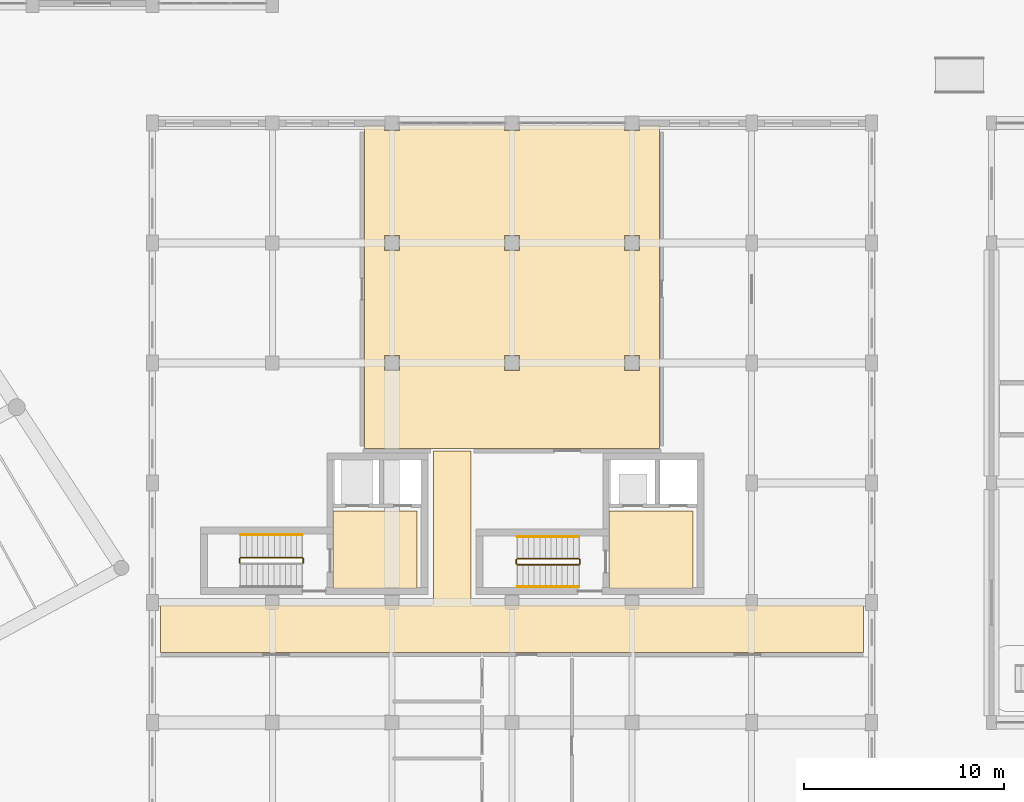
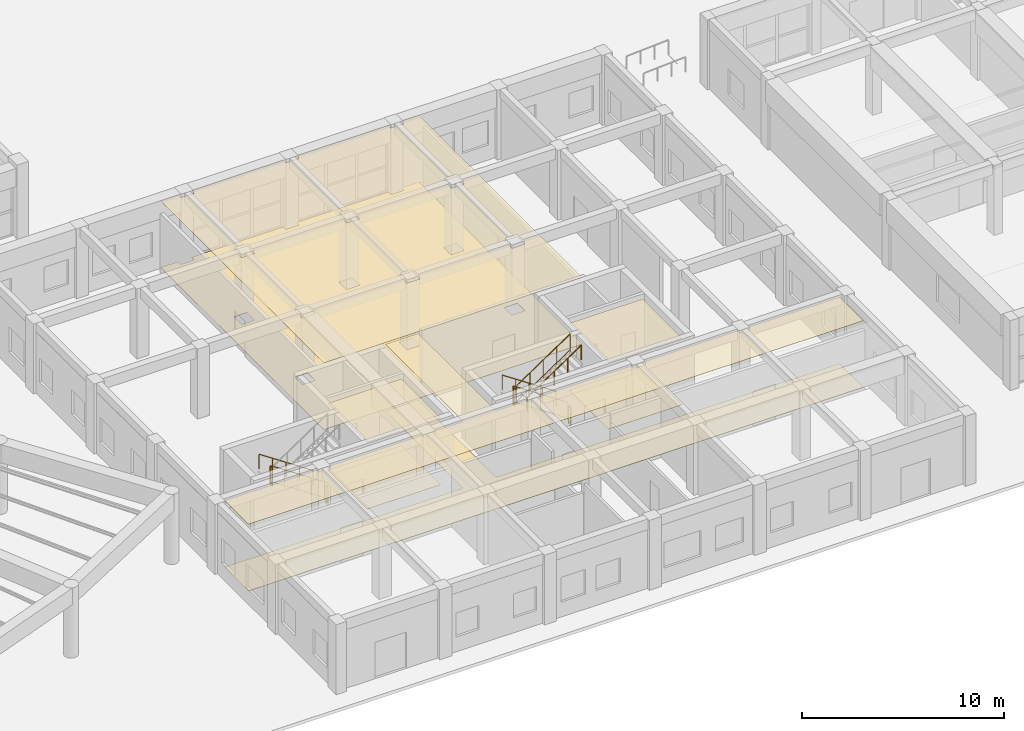
# One storey, part 69 of 76: 10 railings, 8 coverings.
"""IFC4 building model written with IfcOpenShell, lengths in metres."""

import ifcopenshell
import ifcopenshell.guid

model = None  # the IFC model being written
_history = None  # IfcOwnerHistory: only IFC2X3 demands one
_inside = {}  # id of a spatial element -> (the spatial element, [elements in it])
_under = {}  # id of a project, library or spatial element -> (it, [spatial elements below it])
_declared = {}  # id of a project -> (the project, [libraries it declares])
_typed = {}  # id of a type object -> (the type object, [elements of that type])
_made_of = {}  # id of a material, layer set ... -> (it, [elements and type objects made of it])


def new_model(schema):
    """Start an empty IFC model of exactly this schema.

    Asked for "IFC4X3", IfcOpenShell would pick the latest addendum, in which some entities
    have other attributes; the version numbers below select the first issue.
    IFC2X3 requires an IfcOwnerHistory on every rooted entity: one is made here for all.
    """
    global model, _history
    if schema == "IFC4X3":
        model = ifcopenshell.file(schema_version=(4, 3, 0, 0))
    else:
        model = ifcopenshell.file(schema=schema)
    _inside.clear()
    _under.clear()
    _declared.clear()
    _typed.clear()
    _made_of.clear()
    _history = None
    if model.schema == "IFC2X3":
        org = make("IfcOrganization", Name="unknown")
        user = make(
            "IfcPersonAndOrganization",
            ThePerson=make("IfcPerson", FamilyName="unknown"),
            TheOrganization=org,
        )
        app = make(
            "IfcApplication",
            ApplicationDeveloper=org,
            Version="unknown",
            ApplicationFullName="unknown",
            ApplicationIdentifier="unknown",
        )
        _history = make(
            "IfcOwnerHistory",
            OwningUser=user,
            OwningApplication=app,
            ChangeAction="ADDED",
            CreationDate=0,
        )
    return model


def make(cls, **values):
    """One entity of the class cls with the attributes given. An attribute that is None is left unset."""
    return model.create_entity(
        cls, **{name: value for name, value in values.items() if value is not None}
    )


def rooted(cls, **values):
    """An entity with a GlobalId (a new one), such as an element, a storey or a relation."""
    return make(cls, GlobalId=ifcopenshell.guid.new(), OwnerHistory=_history, **values)


def si_unit(unit_type, name, prefix=None):
    """IfcSIUnit, for example si_unit("LENGTHUNIT", "METRE", prefix="MILLI")."""
    return make("IfcSIUnit", UnitType=unit_type, Prefix=prefix, Name=name)


def assignment(units):
    """IfcUnitAssignment: the units of a project."""
    return None if units is None else make("IfcUnitAssignment", Units=units)


def point(xyz):
    """IfcCartesianPoint."""
    return None if xyz is None else make("IfcCartesianPoint", Coordinates=xyz)


def direction(xyz):
    """IfcDirection."""
    return None if xyz is None else make("IfcDirection", DirectionRatios=xyz)


def frame(location, z_axis=None, x_axis=None):
    """IfcAxis2Placement3D, a coordinate frame: its origin and axes. An axis left out is left unset."""
    return make(
        "IfcAxis2Placement3D",
        Location=point(location),
        Axis=direction(z_axis),
        RefDirection=direction(x_axis),
    )


def frame_2d(location, x_axis=None):
    """IfcAxis2Placement2D, a coordinate frame in the plane: its origin and x axis."""
    return make(
        "IfcAxis2Placement2D", Location=point(location), RefDirection=direction(x_axis)
    )


def origin():
    """The frame at (0, 0, 0) with its axes left unset."""
    return frame((0.0, 0.0, 0.0))


def origin_2d():
    """The frame at (0, 0) in the plane with its x axis left unset."""
    return frame_2d((0.0, 0.0))


def place(relative_to, where):
    """IfcLocalPlacement: puts the frame where relative to a parent placement (None: the world)."""
    return make(
        "IfcLocalPlacement", PlacementRelTo=relative_to, RelativePlacement=where
    )


def context(
    kind, dimensions, precision=None, world=None, true_north=None, identifier=None
):
    """IfcGeometricRepresentationContext, for example the 3D "Model" context."""
    return make(
        "IfcGeometricRepresentationContext",
        ContextIdentifier=identifier,
        ContextType=kind,
        CoordinateSpaceDimension=dimensions,
        Precision=precision,
        WorldCoordinateSystem=world,
        TrueNorth=true_north,
    )


def subcontext(parent, identifier, kind, view, scale=None):
    """IfcGeometricRepresentationSubContext, for example "Body" below "Model"."""
    return make(
        "IfcGeometricRepresentationSubContext",
        ContextIdentifier=identifier,
        ContextType=kind,
        ParentContext=parent,
        TargetScale=scale,
        TargetView=view,
    )


def project(units=None, contexts=None):
    """IfcProject with its units and contexts."""
    return rooted(
        "IfcProject",
        Name="project",
        RepresentationContexts=contexts,
        UnitsInContext=assignment(units),
    )


def spatial(cls, under=None, at=None, **own):
    """A site, building, storey or space (cls), placed at a placement, below another one or the project."""
    s = rooted(cls, ObjectPlacement=at, **own)
    if under is not None:
        _under.setdefault(under.id(), (under, []))[1].append(s)
    return s


def polyline(points):
    """IfcPolyline through the points."""
    return make("IfcPolyline", Points=[point(p) for p in points])


def profile(cls, at=None, kind="AREA", **sizes):
    """A parametric profile (cls). Its sizes go by their IFC names, for example OverallWidth=200.0."""
    return make(cls, ProfileType=kind, Position=at, **sizes)


def circle(**sizes):
    """IfcCircleProfileDef."""
    return profile("IfcCircleProfileDef", **sizes)


def outline(outer, holes=None, kind="AREA"):
    """IfcArbitraryClosedProfileDef: a profile drawn as a closed curve; with holes, ...WithVoids."""
    if holes is None:
        return make("IfcArbitraryClosedProfileDef", ProfileType=kind, OuterCurve=outer)
    return make(
        "IfcArbitraryProfileDefWithVoids",
        ProfileType=kind,
        OuterCurve=outer,
        InnerCurves=holes,
    )


def extrude(swept, where, along, depth):
    """IfcExtrudedAreaSolid: the profile swept, set in the frame where, extruded along a direction by depth."""
    return make(
        "IfcExtrudedAreaSolid",
        SweptArea=swept,
        Position=where,
        ExtrudedDirection=direction(along),
        Depth=depth,
    )


def shape(context_of_items, identifier, shape_type, items):
    """IfcShapeRepresentation: the items that make up one representation, for example the "Body"."""
    return make(
        "IfcShapeRepresentation",
        ContextOfItems=context_of_items,
        RepresentationIdentifier=identifier,
        RepresentationType=shape_type,
        Items=items,
    )


def material(Name=None, Category=None):
    """IfcMaterial."""
    return make("IfcMaterial", Name=Name, Category=Category)


def layer(
    of_material, thickness, ventilated=None, Name=None, Category=None, Priority=None
):
    """IfcMaterialLayer: one layer of a wall or slab, of a material (None: an air gap)."""
    return make(
        "IfcMaterialLayer",
        Material=of_material,
        LayerThickness=thickness,
        IsVentilated=ventilated,
        Name=Name,
        Category=Category,
        Priority=Priority,
    )


def layer_set(layers, Name=None):
    """IfcMaterialLayerSet."""
    return make("IfcMaterialLayerSet", MaterialLayers=layers, LayerSetName=Name)


def made_of(thing, what):
    """Note that an element or type object is made of a material, layer set ...; save() writes the relation."""
    if what is not None:
        _made_of.setdefault(what.id(), (what, []))[1].append(thing)
    return thing


def type_object(cls, material=None, **own):
    """A type object (cls), such as IfcWallType, which elements share."""
    return made_of(rooted(cls, **own), material)


def element(
    cls,
    number,
    at=None,
    inside=None,
    cuts=None,
    type_object=None,
    material=None,
    context=None,
    identifier="Body",
    shape_type=None,
    held_by="IfcProductDefinitionShape",
    body=None,
    shapes=None,
    **own,
):
    """One element of the class cls, such as IfcWall. Its Tag is "e" and its number.

    at: its placement. inside: the storey or other place that contains it. cuts: it is an
    opening in that element (IfcRelVoidsElement). A single representation is given by context,
    identifier, shape_type and body (its items); several are given by shapes. held_by: the class
    of the entity that holds the representations. save() writes the other relations.
    """
    e = rooted(cls, Tag="e%d" % number, ObjectPlacement=at, **own)
    if body is not None:
        shapes = [shape(context, identifier, shape_type, body)]
    if shapes is not None:
        e.Representation = make(held_by, Representations=shapes)
    if inside is not None:
        _inside.setdefault(inside.id(), (inside, []))[1].append(e)
    if cuts is not None:
        rooted(
            "IfcRelVoidsElement", RelatingBuildingElement=cuts, RelatedOpeningElement=e
        )
    if type_object is not None:
        _typed.setdefault(type_object.id(), (type_object, []))[1].append(e)
    return made_of(e, material)


def aggregate(whole, parts):
    """IfcRelAggregates: a whole, such as a stair, and the parts it consists of."""
    return rooted("IfcRelAggregates", RelatingObject=whole, RelatedObjects=parts)


def save(model, path):
    """Write the relations noted so far, then the file.

    IfcRelAggregates (storeys below a building ...), IfcRelContainedInSpatialStructure (elements
    in a storey), IfcRelDefinesByType, IfcRelAssociatesMaterial and IfcRelDeclares: one each for
    every whole, place, type object, material and project.
    """
    for whole, parts in _under.values():
        aggregate(whole, parts)
    for where, things in _inside.values():
        rooted(
            "IfcRelContainedInSpatialStructure",
            RelatedElements=things,
            RelatingStructure=where,
        )
    for kind, things in _typed.values():
        rooted("IfcRelDefinesByType", RelatedObjects=things, RelatingType=kind)
    for what, things in _made_of.values():
        rooted("IfcRelAssociatesMaterial", RelatedObjects=things, RelatingMaterial=what)
    for by, libraries in _declared.values():
        rooted("IfcRelDeclares", RelatingContext=by, RelatedDefinitions=libraries)
    model.write(path)


model = new_model("IFC4")

# Units and contexts
model_context = context("Model", 3, precision=1e-05, world=origin(), true_north=direction((0.0, 1.0)))
body_context = subcontext(model_context, "Body", "Model", "MODEL_VIEW")
ifc_project = project(units=[si_unit("LENGTHUNIT", "METRE"), si_unit("AREAUNIT", "SQUARE_METRE"), si_unit("VOLUMEUNIT", "CUBIC_METRE"), si_unit("PLANEANGLEUNIT", "RADIAN"), si_unit("MASSUNIT", "GRAM", prefix="KILO"), si_unit("POWERUNIT", "WATT"), si_unit("THERMODYNAMICTEMPERATUREUNIT", "KELVIN")], contexts=[model_context])

# Site, building, storey
site_placement = place(None, origin())
site = spatial("IfcSite", under=ifc_project, at=site_placement, CompositionType="ELEMENT")
building_placement = place(site_placement, origin())
building = spatial("IfcBuilding", under=site, at=building_placement, Name="Ruvembo Vaulted Housing Court", CompositionType="ELEMENT")
storey_placement = place(building_placement, origin())
storey = spatial("IfcBuildingStorey", under=building, at=storey_placement, Name="L00", CompositionType="ELEMENT", Elevation=0.0)

# Coverings
ifc_material_1 = material(Name="Perforated Mineral-Fibre Acoustic Tile", Category="gypsum")
ifc_layer_1 = layer(ifc_material_1, 0.02001953125, Name="Perforated Mineral-Fibre Acoustic Tile")
ifc_layer_set_1 = layer_set([ifc_layer_1], Name="Perforated Mineral-Fibre Acoustic Tile")
covering_type_1 = type_object("IfcCoveringType", Name="COV-CEIL-ACOUST", PredefinedType="CEILING", material=ifc_layer_set_1)
covering_1_placement = place(storey_placement, frame((0.0, 0.0, 4.034912109375)))
element("IfcCovering", 1, at=covering_1_placement, inside=storey, type_object=covering_type_1, Name="Protected Core Lobby C1 Ceiling", PredefinedType="CEILING", context=body_context, shape_type="SweptSolid", body=[
    extrude(outline(polyline([(111.050048828125, 16.60009765625), (111.050048828125, 12.699951171875), (115.25, 12.699951171875), (115.25, 16.60009765625), (111.050048828125, 16.60009765625)])), origin(), (0.0, 0.0, 1.0), 0.02001953125),
])
covering_2_placement = place(storey_placement, frame((0.0, 0.0, 4.034912109375)))
element("IfcCovering", 2, at=covering_2_placement, inside=storey, type_object=covering_type_1, Name="Protected Core Lobby C2 Ceiling", PredefinedType="CEILING", context=body_context, shape_type="SweptSolid", body=[
    extrude(outline(polyline([(124.85009765625, 16.60009765625), (124.85009765625, 12.699951171875), (129.050048828125, 12.699951171875), (129.050048828125, 16.60009765625), (124.85009765625, 16.60009765625)])), origin(), (0.0, 0.0, 1.0), 0.02001953125),
])
covering_3_placement = place(storey_placement, frame((0.0, 0.0, 4.034912109375)))
element("IfcCovering", 3, at=covering_3_placement, inside=storey, type_object=covering_type_1, Name="Block C L00 Corridor Ceiling", PredefinedType="CEILING", context=body_context, shape_type="SweptSolid", body=[
    extrude(outline(polyline([(115.949951171875, 11.889892578125), (102.409912109375, 11.889892578125), (102.409912109375, 9.510009765625), (137.590087890625, 9.510009765625), (137.590087890625, 11.889892578125), (118.050048828125, 11.889892578125), (118.039306640625, 11.890380859375), (118.028564453125, 11.89208984375), (118.01806640625, 11.894775390625), (118.0078125, 11.8984375), (117.998046875, 11.903076171875), (117.989013671875, 11.908447265625), (117.980224609375, 11.9150390625), (117.97216796875, 11.922119140625), (117.965087890625, 11.93017578125), (117.95849609375, 11.93896484375), (117.952880859375, 11.947998046875), (117.948486328125, 11.9580078125), (117.944580078125, 11.968017578125), (117.942138671875, 11.978515625), (117.9404296875, 11.9892578125), (117.93994140625, 12.0), (117.93994140625, 19.590087890625), (116.06005859375, 19.590087890625), (116.06005859375, 12.0), (116.0595703125, 11.9892578125), (116.057861328125, 11.978515625), (116.055419921875, 11.968017578125), (116.051513671875, 11.9580078125), (116.047119140625, 11.947998046875), (116.04150390625, 11.93896484375), (116.034912109375, 11.93017578125), (116.02783203125, 11.922119140625), (116.019775390625, 11.9150390625), (116.010986328125, 11.908447265625), (116.001953125, 11.903076171875), (115.9921875, 11.8984375), (115.98193359375, 11.894775390625), (115.971435546875, 11.89208984375), (115.960693359375, 11.890380859375), (115.949951171875, 11.889892578125)])), origin(), (0.0, 0.0, 1.0), 0.02001953125),
])
covering_4_placement = place(storey_placement, frame((0.0, 0.0, 4.034912109375)))
element("IfcCovering", 4, at=covering_4_placement, inside=storey, type_object=covering_type_1, Name="Block C Courtyard Entrance Lobby Ceiling", PredefinedType="CEILING", context=body_context, shape_type="SweptSolid", body=[
    extrude(outline(polyline([(113.6298828125, 35.6298828125), (113.6298828125, 35.889892578125), (112.610107421875, 35.889892578125), (112.610107421875, 19.7099609375), (127.389892578125, 19.7099609375), (127.389892578125, 35.889892578125), (126.3701171875, 35.889892578125), (126.3701171875, 35.6298828125), (125.6298828125, 35.6298828125), (125.6298828125, 35.889892578125), (120.3701171875, 35.889892578125), (120.3701171875, 35.6298828125), (119.6298828125, 35.6298828125), (119.6298828125, 35.889892578125), (114.3701171875, 35.889892578125), (114.3701171875, 35.6298828125), (113.6298828125, 35.6298828125)]), holes=[polyline([(120.3701171875, 23.6298828125), (120.3701171875, 24.3701171875), (119.6298828125, 24.3701171875), (119.6298828125, 23.6298828125), (120.3701171875, 23.6298828125)]), polyline([(113.6298828125, 23.6298828125), (114.3701171875, 23.6298828125), (114.3701171875, 24.3701171875), (113.6298828125, 24.3701171875), (113.6298828125, 23.6298828125)]), polyline([(126.3701171875, 23.6298828125), (126.3701171875, 24.3701171875), (125.6298828125, 24.3701171875), (125.6298828125, 23.6298828125), (126.3701171875, 23.6298828125)]), polyline([(125.6298828125, 29.6298828125), (126.3701171875, 29.6298828125), (126.3701171875, 30.3701171875), (125.6298828125, 30.3701171875), (125.6298828125, 29.6298828125)]), polyline([(119.6298828125, 29.6298828125), (120.3701171875, 29.6298828125), (120.3701171875, 30.3701171875), (119.6298828125, 30.3701171875), (119.6298828125, 29.6298828125)]), polyline([(114.3701171875, 29.6298828125), (114.3701171875, 30.3701171875), (113.6298828125, 30.3701171875), (113.6298828125, 29.6298828125), (114.3701171875, 29.6298828125)])]), origin(), (0.0, 0.0, 1.0), 0.02001953125),
])
ifc_material_2 = material(Name="Polished Cement-Aggregate Terrazzo", Category="stone")
ifc_layer_2 = layer(ifc_material_2, 0.02197265625, Name="Polished Cement-Aggregate Terrazzo")
ifc_layer_set_2 = layer_set([ifc_layer_2], Name="Polished Cement-Aggregate Terrazzo")
covering_type_2 = type_object("IfcCoveringType", Name="COV-FLR-CERAMIC", PredefinedType="FLOORING", material=ifc_layer_set_2)
covering_5_placement = place(storey_placement, origin())
element("IfcCovering", 5, at=covering_5_placement, inside=storey, type_object=covering_type_2, Name="Protected Core Lobby C1 Flooring", PredefinedType="FLOORING", context=body_context, shape_type="SweptSolid", body=[
    extrude(outline(polyline([(111.050048828125, 16.60009765625), (111.050048828125, 12.699951171875), (115.25, 12.699951171875), (115.25, 16.60009765625), (111.050048828125, 16.60009765625)])), origin(), (0.0, 0.0, 1.0), 0.02197265625),
])
covering_6_placement = place(storey_placement, origin())
element("IfcCovering", 6, at=covering_6_placement, inside=storey, type_object=covering_type_2, Name="Protected Core Lobby C2 Flooring", PredefinedType="FLOORING", context=body_context, shape_type="SweptSolid", body=[
    extrude(outline(polyline([(124.85009765625, 16.60009765625), (124.85009765625, 12.699951171875), (129.050048828125, 12.699951171875), (129.050048828125, 16.60009765625), (124.85009765625, 16.60009765625)])), origin(), (0.0, 0.0, 1.0), 0.02197265625),
])
covering_7_placement = place(storey_placement, origin())
element("IfcCovering", 7, at=covering_7_placement, inside=storey, type_object=covering_type_2, Name="Block C L00 Corridor Flooring", PredefinedType="FLOORING", context=body_context, shape_type="SweptSolid", body=[
    extrude(outline(polyline([(115.949951171875, 11.889892578125), (102.409912109375, 11.889892578125), (102.409912109375, 9.510009765625), (137.590087890625, 9.510009765625), (137.590087890625, 11.889892578125), (118.050048828125, 11.889892578125), (118.039306640625, 11.890380859375), (118.028564453125, 11.89208984375), (118.01806640625, 11.894775390625), (118.0078125, 11.8984375), (117.998046875, 11.903076171875), (117.989013671875, 11.908447265625), (117.980224609375, 11.9150390625), (117.97216796875, 11.922119140625), (117.965087890625, 11.93017578125), (117.95849609375, 11.93896484375), (117.952880859375, 11.947998046875), (117.948486328125, 11.9580078125), (117.944580078125, 11.968017578125), (117.942138671875, 11.978515625), (117.9404296875, 11.9892578125), (117.93994140625, 12.0), (117.93994140625, 19.590087890625), (116.06005859375, 19.590087890625), (116.06005859375, 12.0), (116.0595703125, 11.9892578125), (116.057861328125, 11.978515625), (116.055419921875, 11.968017578125), (116.051513671875, 11.9580078125), (116.047119140625, 11.947998046875), (116.04150390625, 11.93896484375), (116.034912109375, 11.93017578125), (116.02783203125, 11.922119140625), (116.019775390625, 11.9150390625), (116.010986328125, 11.908447265625), (116.001953125, 11.903076171875), (115.9921875, 11.8984375), (115.98193359375, 11.894775390625), (115.971435546875, 11.89208984375), (115.960693359375, 11.890380859375), (115.949951171875, 11.889892578125)])), origin(), (0.0, 0.0, 1.0), 0.02197265625),
])
covering_8_placement = place(storey_placement, origin())
element("IfcCovering", 8, at=covering_8_placement, inside=storey, type_object=covering_type_2, Name="Block C Courtyard Entrance Lobby Flooring", PredefinedType="FLOORING", context=body_context, shape_type="SweptSolid", body=[
    extrude(outline(polyline([(113.6298828125, 35.6298828125), (113.6298828125, 35.889892578125), (112.610107421875, 35.889892578125), (112.610107421875, 19.7099609375), (127.389892578125, 19.7099609375), (127.389892578125, 35.889892578125), (126.3701171875, 35.889892578125), (126.3701171875, 35.6298828125), (125.6298828125, 35.6298828125), (125.6298828125, 35.889892578125), (120.3701171875, 35.889892578125), (120.3701171875, 35.6298828125), (119.6298828125, 35.6298828125), (119.6298828125, 35.889892578125), (114.3701171875, 35.889892578125), (114.3701171875, 35.6298828125), (113.6298828125, 35.6298828125)]), holes=[polyline([(120.3701171875, 23.6298828125), (120.3701171875, 24.3701171875), (119.6298828125, 24.3701171875), (119.6298828125, 23.6298828125), (120.3701171875, 23.6298828125)]), polyline([(113.6298828125, 23.6298828125), (114.3701171875, 23.6298828125), (114.3701171875, 24.3701171875), (113.6298828125, 24.3701171875), (113.6298828125, 23.6298828125)]), polyline([(126.3701171875, 23.6298828125), (126.3701171875, 24.3701171875), (125.6298828125, 24.3701171875), (125.6298828125, 23.6298828125), (126.3701171875, 23.6298828125)]), polyline([(125.6298828125, 29.6298828125), (126.3701171875, 29.6298828125), (126.3701171875, 30.3701171875), (125.6298828125, 30.3701171875), (125.6298828125, 29.6298828125)]), polyline([(119.6298828125, 29.6298828125), (120.3701171875, 29.6298828125), (120.3701171875, 30.3701171875), (119.6298828125, 30.3701171875), (119.6298828125, 29.6298828125)]), polyline([(114.3701171875, 29.6298828125), (114.3701171875, 30.3701171875), (113.6298828125, 30.3701171875), (113.6298828125, 29.6298828125), (114.3701171875, 29.6298828125)])]), origin(), (0.0, 0.0, 1.0), 0.02197265625),
])

# Railings
ifc_material_3 = material(Name="Painted Galvanised Steel S275", Category="steel")
ifc_layer_3 = layer(ifc_material_3, 0.06005859375, Name="Painted Galvanised Steel S275")
ifc_layer_set_3 = layer_set([ifc_layer_3], Name="Painted Galvanised Steel S275")
railing_type_1 = type_object("IfcRailingType", Name="RL-STAIR-GR1100", PredefinedType="GUARDRAIL", material=ifc_layer_set_3)
railing_1_placement = place(storey_placement, frame((109.5, 14.25, 0.1875)))
element("IfcRailing", 9, at=railing_1_placement, inside=storey, type_object=railing_type_1, Name="L00 ST-C1 stair guard 1", PredefinedType="GUARDRAIL", context=body_context, shape_type="SweptSolid", body=[
    extrude(circle(Radius=0.02392578125, at=origin_2d()), frame((0.0, 0.0, 1.076171875), z_axis=(-0.830913701846, 0.0, 0.55640131208), x_axis=(0.0, -1.0, 0.0)), (0.0, 0.0, 1.0), 3.706787109375),
    extrude(circle(Radius=0.01806640625, at=origin_2d()), frame((0.0, 0.0, 0.1201171875), z_axis=(-0.830913701846, 0.0, 0.55640131208), x_axis=(0.0, -1.0, 0.0)), (0.0, 0.0, 1.0), 3.706787109375),
    extrude(circle(Radius=0.02099609375, at=origin_2d()), origin(), (0.0, 0.0, 1.0), 1.052001953125),
    extrude(circle(Radius=0.02099609375, at=origin_2d()), frame((-0.77001953125, 0.0, 0.515625)), (0.0, 0.0, 1.0), 1.052001953125),
    extrude(circle(Radius=0.02099609375, at=origin_2d()), frame((-1.5400390625, 0.0, 1.03125)), (0.0, 0.0, 1.0), 1.052001953125),
    extrude(circle(Radius=0.02099609375, at=origin_2d()), frame((-2.31005859375, 0.0, 1.546875)), (0.0, 0.0, 1.0), 1.052001953125),
    extrude(circle(Radius=0.02099609375, at=origin_2d()), frame((-3.080078125, 0.0, 2.0625)), (0.0, 0.0, 1.0), 1.052001953125),
])
for number, where, name in (
    (10, (106.3701171875, 14.199951171875, 2.25), "L00 ST-C1 stair guard 2"),
    (11, (109.550048828125, 14.199951171875, 0.0), "L00 ST-C1 stair guard 4"),
):
    element("IfcRailing", number, at=place(storey_placement, frame(where)), inside=storey, type_object=railing_type_1, Name=name, PredefinedType="GUARDRAIL", context=body_context, shape_type="SweptSolid", body=[
        extrude(circle(Radius=0.02392578125, at=origin_2d()), frame((0.0, 0.0, 1.076171875), z_axis=(0.0, -1.0, 0.0), x_axis=(1.0, 0.0, 0.0)), (0.0, 0.0, 1.0), 0.199951171875),
        extrude(circle(Radius=0.01806640625, at=origin_2d()), frame((0.0, 0.0, 0.1201171875), z_axis=(0.0, -1.0, 0.0), x_axis=(1.0, 0.0, 0.0)), (0.0, 0.0, 1.0), 0.199951171875),
        extrude(circle(Radius=0.02099609375, at=origin_2d()), origin(), (0.0, 0.0, 1.0), 1.052001953125),
        extrude(circle(Radius=0.02099609375, at=origin_2d()), frame((0.0, -0.199951171875, 0.0)), (0.0, 0.0, 1.0), 1.052001953125),
    ])
railing_2_placement = place(storey_placement, frame((123.35009765625, 14.199951171875, 0.1875)))
element("IfcRailing", 12, at=railing_2_placement, inside=storey, type_object=railing_type_1, Name="L00 ST-C2 stair guard 1", PredefinedType="GUARDRAIL", context=body_context, shape_type="SweptSolid", body=[
    extrude(circle(Radius=0.02392578125, at=origin_2d()), frame((0.0, 0.0, 1.076171875), z_axis=(-0.830913701846, 0.0, 0.55640131208), x_axis=(0.0, -1.0, 0.0)), (0.0, 0.0, 1.0), 3.706787109375),
    extrude(circle(Radius=0.01806640625, at=origin_2d()), frame((0.0, 0.0, 0.1201171875), z_axis=(-0.830913701846, 0.0, 0.55640131208), x_axis=(0.0, -1.0, 0.0)), (0.0, 0.0, 1.0), 3.706787109375),
    extrude(circle(Radius=0.02099609375, at=origin_2d()), origin(), (0.0, 0.0, 1.0), 1.052001953125),
    extrude(circle(Radius=0.02099609375, at=origin_2d()), frame((-0.77001953125, 0.0, 0.515625)), (0.0, 0.0, 1.0), 1.052001953125),
    extrude(circle(Radius=0.02099609375, at=origin_2d()), frame((-1.5400390625, 0.0, 1.03125)), (0.0, 0.0, 1.0), 1.052001953125),
    extrude(circle(Radius=0.02099609375, at=origin_2d()), frame((-2.31005859375, 0.0, 1.546875)), (0.0, 0.0, 1.0), 1.052001953125),
    extrude(circle(Radius=0.02099609375, at=origin_2d()), frame((-3.080078125, 0.0, 2.0625)), (0.0, 0.0, 1.0), 1.052001953125),
])
railing_3_placement = place(storey_placement, frame((120.219970703125, 14.14990234375, 2.25)))
element("IfcRailing", 13, at=railing_3_placement, inside=storey, type_object=railing_type_1, Name="L00 ST-C2 stair guard 2", PredefinedType="GUARDRAIL", context=body_context, shape_type="SweptSolid", body=[
    extrude(circle(Radius=0.02392578125, at=origin_2d()), frame((0.0, 0.0, 1.076171875), z_axis=(0.0, -1.0, 0.0), x_axis=(1.0, 0.0, 0.0)), (0.0, 0.0, 1.0), 0.199951171875),
    extrude(circle(Radius=0.01806640625, at=origin_2d()), frame((0.0, 0.0, 0.1201171875), z_axis=(0.0, -1.0, 0.0), x_axis=(1.0, 0.0, 0.0)), (0.0, 0.0, 1.0), 0.199951171875),
    extrude(circle(Radius=0.02099609375, at=origin_2d()), origin(), (0.0, 0.0, 1.0), 1.052001953125),
    extrude(circle(Radius=0.02099609375, at=origin_2d()), frame((0.0, -0.199951171875, 0.0)), (0.0, 0.0, 1.0), 1.052001953125),
])
railing_4_placement = place(storey_placement, frame((120.27001953125, 13.89990234375, 2.4375)))
element("IfcRailing", 14, at=railing_4_placement, inside=storey, type_object=railing_type_1, Name="L00 ST-C2 stair guard 3", PredefinedType="GUARDRAIL", context=body_context, shape_type="SweptSolid", body=[
    extrude(circle(Radius=0.02392578125, at=origin_2d()), frame((0.0, 0.0, 1.076171875), z_axis=(0.830913701846, 0.0, 0.55640131208), x_axis=(0.0, 1.0, 0.0)), (0.0, 0.0, 1.0), 3.706787109375),
    extrude(circle(Radius=0.01806640625, at=origin_2d()), frame((0.0, 0.0, 0.1201171875), z_axis=(0.830913701846, 0.0, 0.55640131208), x_axis=(0.0, 1.0, 0.0)), (0.0, 0.0, 1.0), 3.706787109375),
    extrude(circle(Radius=0.02099609375, at=origin_2d()), origin(), (0.0, 0.0, 1.0), 1.052001953125),
    extrude(circle(Radius=0.02099609375, at=origin_2d()), frame((0.77001953125, 0.0, 0.515625)), (0.0, 0.0, 1.0), 1.052001953125),
    extrude(circle(Radius=0.02099609375, at=origin_2d()), frame((1.5400390625, 0.0, 1.03125)), (0.0, 0.0, 1.0), 1.052001953125),
    extrude(circle(Radius=0.02099609375, at=origin_2d()), frame((2.31005859375, 0.0, 1.546875)), (0.0, 0.0, 1.0), 1.052001953125),
    extrude(circle(Radius=0.02099609375, at=origin_2d()), frame((3.080078125, 0.0, 2.0625)), (0.0, 0.0, 1.0), 1.052001953125),
])
railing_5_placement = place(storey_placement, frame((123.39990234375, 14.14990234375, 0.0)))
element("IfcRailing", 15, at=railing_5_placement, inside=storey, type_object=railing_type_1, Name="L00 ST-C2 stair guard 4", PredefinedType="GUARDRAIL", context=body_context, shape_type="SweptSolid", body=[
    extrude(circle(Radius=0.02392578125, at=origin_2d()), frame((0.0, 0.0, 1.076171875), z_axis=(0.0, -1.0, 0.0), x_axis=(1.0, 0.0, 0.0)), (0.0, 0.0, 1.0), 0.199951171875),
    extrude(circle(Radius=0.01806640625, at=origin_2d()), frame((0.0, 0.0, 0.1201171875), z_axis=(0.0, -1.0, 0.0), x_axis=(1.0, 0.0, 0.0)), (0.0, 0.0, 1.0), 0.199951171875),
    extrude(circle(Radius=0.02099609375, at=origin_2d()), origin(), (0.0, 0.0, 1.0), 1.052001953125),
    extrude(circle(Radius=0.02099609375, at=origin_2d()), frame((0.0, -0.199951171875, 0.0)), (0.0, 0.0, 1.0), 1.052001953125),
])
ifc_material_4 = material(Name="Brushed Stainless Steel 304", Category="steel")
ifc_layer_4 = layer(ifc_material_4, 0.050048828125, Name="Brushed Stainless Steel 304")
ifc_layer_set_4 = layer_set([ifc_layer_4], Name="Brushed Stainless Steel 304")
railing_type_2 = type_object("IfcRailingType", Name="RL-STAIR-HR920", PredefinedType="HANDRAIL", material=ifc_layer_set_4)
for number, where, name in (
    (16, (109.5, 15.39990234375, 0.379150390625), "L00 ST-C1 stair handrail 1"),
    (17, (123.35009765625, 15.300048828125, 0.379150390625), "L00 ST-C2 stair handrail 1"),
):
    element("IfcRailing", number, at=place(storey_placement, frame(where)), inside=storey, type_object=railing_type_2, Name=name, PredefinedType="HANDRAIL", context=body_context, shape_type="SweptSolid", body=[
        extrude(circle(Radius=0.02392578125, at=origin_2d()), frame((0.0, 0.0, 0.8759765625), z_axis=(-0.830913701846, 0.0, 0.55640131208), x_axis=(0.0, -1.0, 0.0)), (0.0, 0.0, 1.0), 3.706787109375),
        extrude(circle(Radius=0.02099609375, at=origin_2d()), origin(), (0.0, 0.0, 1.0), 0.851806640625),
        extrude(circle(Radius=0.02099609375, at=origin_2d()), frame((-0.77001953125, 0.0, 0.515625)), (0.0, 0.0, 1.0), 0.851806640625),
        extrude(circle(Radius=0.02099609375, at=origin_2d()), frame((-1.5400390625, 0.0, 1.03125)), (0.0, 0.0, 1.0), 0.851806640625),
        extrude(circle(Radius=0.02099609375, at=origin_2d()), frame((-2.31005859375, 0.0, 1.546875)), (0.0, 0.0, 1.0), 0.851806640625),
        extrude(circle(Radius=0.02099609375, at=origin_2d()), frame((-3.080078125, 0.0, 2.0625)), (0.0, 0.0, 1.0), 0.851806640625),
    ])
railing_6_placement = place(storey_placement, frame((120.27001953125, 12.800048828125, 2.629150390625)))
element("IfcRailing", 18, at=railing_6_placement, inside=storey, type_object=railing_type_2, Name="L00 ST-C2 stair handrail 2", PredefinedType="HANDRAIL", context=body_context, shape_type="SweptSolid", body=[
    extrude(circle(Radius=0.02392578125, at=origin_2d()), frame((0.0, 0.0, 0.8759765625), z_axis=(0.830913701846, 0.0, 0.55640131208), x_axis=(0.0, 1.0, 0.0)), (0.0, 0.0, 1.0), 3.706787109375),
    extrude(circle(Radius=0.02099609375, at=origin_2d()), origin(), (0.0, 0.0, 1.0), 0.851806640625),
    extrude(circle(Radius=0.02099609375, at=origin_2d()), frame((0.77001953125, 0.0, 0.515625)), (0.0, 0.0, 1.0), 0.851806640625),
    extrude(circle(Radius=0.02099609375, at=origin_2d()), frame((1.5400390625, 0.0, 1.03125)), (0.0, 0.0, 1.0), 0.851806640625),
    extrude(circle(Radius=0.02099609375, at=origin_2d()), frame((2.31005859375, 0.0, 1.546875)), (0.0, 0.0, 1.0), 0.851806640625),
    extrude(circle(Radius=0.02099609375, at=origin_2d()), frame((3.080078125, 0.0, 2.0625)), (0.0, 0.0, 1.0), 0.851806640625),
])

save(model, "model.ifc")
